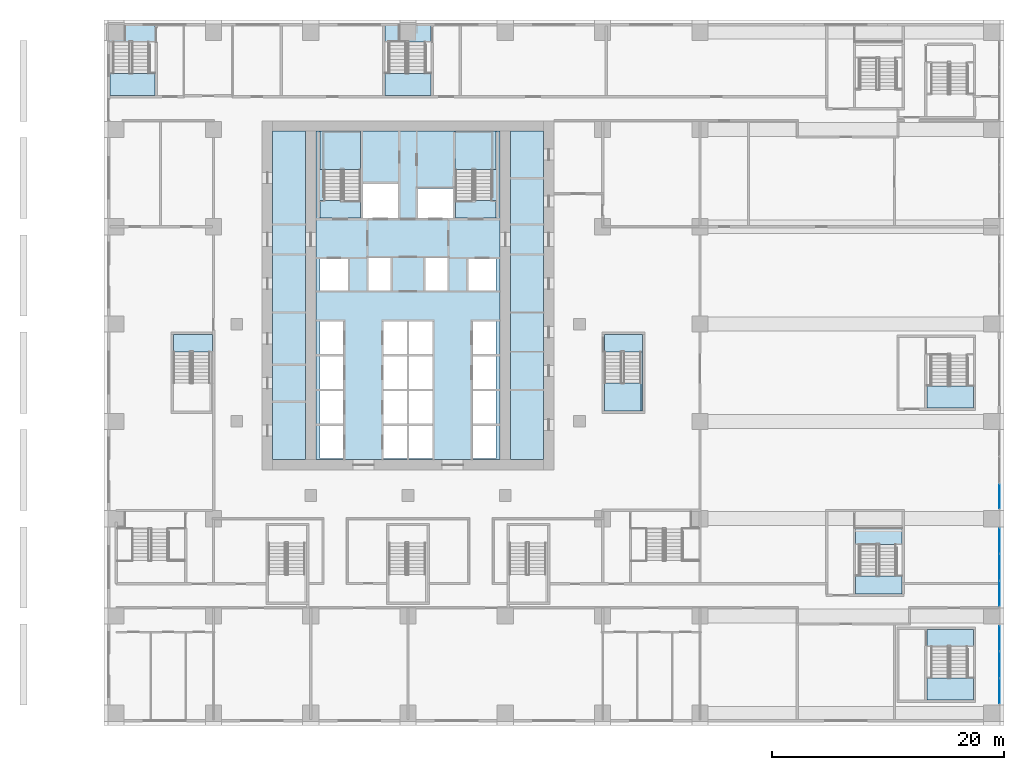
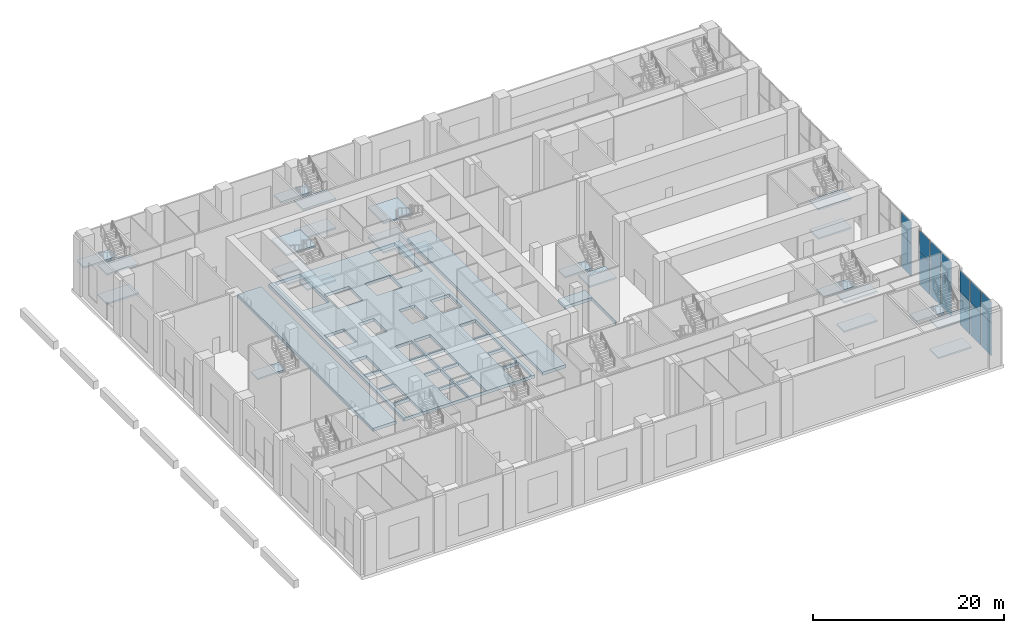
# One storey, part 5 of 29: 27 slabs, 14 plates, 12 elements without a shape of their own.
"""IFC4 building model written with IfcOpenShell, lengths in metres."""

from ifc_helpers import new_model, si_unit, direction, frame, origin, origin_2d, place, context, subcontext, project, spatial, polyline, rectangle, outline, extrude, material, layer, layer_set, type_object, element, aggregate, save


model = new_model("IFC4")

# Units and contexts
model_context = context("Model", 3, precision=1e-05, world=origin(), true_north=direction((0.0, 1.0)))
body_context = subcontext(model_context, "Body", "Model", "MODEL_VIEW")
ifc_project = project(units=[si_unit("LENGTHUNIT", "METRE"), si_unit("AREAUNIT", "SQUARE_METRE"), si_unit("VOLUMEUNIT", "CUBIC_METRE"), si_unit("PLANEANGLEUNIT", "RADIAN"), si_unit("MASSUNIT", "GRAM", prefix="KILO")], contexts=[model_context])

# Site, building, storey
site_placement = place(None, origin())
site = spatial("IfcSite", under=ifc_project, at=site_placement, CompositionType="ELEMENT")
building_placement = place(site_placement, origin())
building = spatial("IfcBuilding", under=site, at=building_placement, Name="Vermilion Ogive Tower", CompositionType="ELEMENT")
storey_placement = place(building_placement, frame((0.0, 0.0, 12.5)))
storey = spatial("IfcBuildingStorey", under=building, at=storey_placement, Name="L02", CompositionType="ELEMENT", Elevation=12.5)

# Curtain wall, plates
ifc_material_1 = material(Name="Clear double glazing in aluminium frame", Category="aluminium")
curtain_wall_type = type_object("IfcCurtainWallType", Name="Curtain wall CW5", PredefinedType="NOTDEFINED", material=ifc_material_1)
curtain_wall_1_placement = place(storey_placement, origin())
curtain_wall_1 = element("IfcCurtainWall", 1, at=curtain_wall_1_placement, inside=storey, type_object=curtain_wall_type, Name="CW5 ballroom glazing E1", PredefinedType="NOTDEFINED")
ifc_material_2 = material(Name="Clear double glazing in aluminium frame", Category="aluminium")
ifc_layer_1 = layer(ifc_material_2, 0.031982421875)
ifc_layer_set_1 = layer_set([ifc_layer_1], Name="CW5 glazing panel 32")
plate_type = type_object("IfcPlateType", Name="CW5 glazing panel 32", PredefinedType="CURTAIN_PANEL", material=ifc_layer_set_1)
plate_1_placement = place(storey_placement, frame((51.06005859375, -27.48828125, 0.06005859375), z_axis=(0.0, 0.0, 1.0), x_axis=(0.0, 1.0, 0.0)))
plate_1 = element("IfcPlate", 2, at=plate_1_placement, type_object=plate_type, Name="CW5-E1 panel 1.1", PredefinedType="CURTAIN_PANEL", context=body_context, shape_type="SweptSolid", body=[
    extrude(rectangle(XDim=2.063232421875, YDim=0.031982421875, at=origin_2d()), origin(), (0.0, 0.0, 1.0), 4.169921875),
])
plate_2_placement = place(storey_placement, frame((51.06005859375, -27.48828125, 4.2900390625), z_axis=(0.0, 0.0, 1.0), x_axis=(0.0, 1.0, 0.0)))
plate_2 = element("IfcPlate", 3, at=plate_2_placement, type_object=plate_type, Name="CW5-E1 panel 1.2", PredefinedType="CURTAIN_PANEL", context=body_context, shape_type="SweptSolid", body=[
    extrude(rectangle(XDim=2.063232421875, YDim=0.031982421875, at=origin_2d()), origin(), (0.0, 0.0, 1.0), 2.75),
])
plate_3_placement = place(storey_placement, frame((51.06005859375, -25.199951171875, 0.06005859375), z_axis=(0.0, 0.0, 1.0), x_axis=(0.0, 1.0, 0.0)))
plate_3 = element("IfcPlate", 4, at=plate_3_placement, type_object=plate_type, Name="CW5-E1 panel 2.1", PredefinedType="CURTAIN_PANEL", context=body_context, shape_type="SweptSolid", body=[
    extrude(rectangle(XDim=2.1533203125, YDim=0.031982421875, at=origin_2d()), origin(), (0.0, 0.0, 1.0), 4.169921875),
])
plate_4_placement = place(storey_placement, frame((51.06005859375, -25.199951171875, 4.2900390625), z_axis=(0.0, 0.0, 1.0), x_axis=(0.0, 1.0, 0.0)))
plate_4 = element("IfcPlate", 5, at=plate_4_placement, type_object=plate_type, Name="CW5-E1 panel 2.2", PredefinedType="CURTAIN_PANEL", context=body_context, shape_type="SweptSolid", body=[
    extrude(rectangle(XDim=2.1533203125, YDim=0.031982421875, at=origin_2d()), origin(), (0.0, 0.0, 1.0), 2.75),
])
plate_5_placement = place(storey_placement, frame((51.06005859375, -22.91162109375, 0.06005859375), z_axis=(0.0, 0.0, 1.0), x_axis=(0.0, 1.0, 0.0)))
plate_5 = element("IfcPlate", 6, at=plate_5_placement, type_object=plate_type, Name="CW5-E1 panel 3.1", PredefinedType="CURTAIN_PANEL", context=body_context, shape_type="SweptSolid", body=[
    extrude(rectangle(XDim=2.063232421875, YDim=0.031982421875, at=origin_2d()), origin(), (0.0, 0.0, 1.0), 4.169921875),
])
plate_6_placement = place(storey_placement, frame((51.06005859375, -22.91162109375, 4.2900390625), z_axis=(0.0, 0.0, 1.0), x_axis=(0.0, 1.0, 0.0)))
plate_6 = element("IfcPlate", 7, at=plate_6_placement, type_object=plate_type, Name="CW5-E1 panel 3.2", PredefinedType="CURTAIN_PANEL", context=body_context, shape_type="SweptSolid", body=[
    extrude(rectangle(XDim=2.063232421875, YDim=0.031982421875, at=origin_2d()), origin(), (0.0, 0.0, 1.0), 2.75),
])
aggregate(curtain_wall_1, [plate_1, plate_2, plate_3, plate_4, plate_5, plate_6])

curtain_wall_2_placement = place(storey_placement, origin())
curtain_wall_2 = element("IfcCurtainWall", 8, at=curtain_wall_2_placement, inside=storey, type_object=curtain_wall_type, Name="CW5 ballroom glazing E2", PredefinedType="NOTDEFINED")
plate_7_placement = place(storey_placement, frame((51.06005859375, -19.08837890625, 0.06005859375), z_axis=(0.0, 0.0, 1.0), x_axis=(0.0, 1.0, 0.0)))
plate_7 = element("IfcPlate", 9, at=plate_7_placement, type_object=plate_type, Name="CW5-E2 panel 1.1", PredefinedType="CURTAIN_PANEL", context=body_context, shape_type="SweptSolid", body=[
    extrude(rectangle(XDim=2.063232421875, YDim=0.031982421875, at=origin_2d()), origin(), (0.0, 0.0, 1.0), 4.169921875),
])
plate_8_placement = place(storey_placement, frame((51.06005859375, -19.08837890625, 4.2900390625), z_axis=(0.0, 0.0, 1.0), x_axis=(0.0, 1.0, 0.0)))
plate_8 = element("IfcPlate", 10, at=plate_8_placement, type_object=plate_type, Name="CW5-E2 panel 1.2", PredefinedType="CURTAIN_PANEL", context=body_context, shape_type="SweptSolid", body=[
    extrude(rectangle(XDim=2.063232421875, YDim=0.031982421875, at=origin_2d()), origin(), (0.0, 0.0, 1.0), 2.75),
])
plate_9_placement = place(storey_placement, frame((51.06005859375, -16.800048828125, 0.06005859375), z_axis=(0.0, 0.0, 1.0), x_axis=(0.0, 1.0, 0.0)))
plate_9 = element("IfcPlate", 11, at=plate_9_placement, type_object=plate_type, Name="CW5-E2 panel 2.1", PredefinedType="CURTAIN_PANEL", context=body_context, shape_type="SweptSolid", body=[
    extrude(rectangle(XDim=2.1533203125, YDim=0.031982421875, at=origin_2d()), origin(), (0.0, 0.0, 1.0), 4.169921875),
])
plate_10_placement = place(storey_placement, frame((51.06005859375, -16.800048828125, 4.2900390625), z_axis=(0.0, 0.0, 1.0), x_axis=(0.0, 1.0, 0.0)))
plate_10 = element("IfcPlate", 12, at=plate_10_placement, type_object=plate_type, Name="CW5-E2 panel 2.2", PredefinedType="CURTAIN_PANEL", context=body_context, shape_type="SweptSolid", body=[
    extrude(rectangle(XDim=2.1533203125, YDim=0.031982421875, at=origin_2d()), origin(), (0.0, 0.0, 1.0), 2.75),
])
plate_11_placement = place(storey_placement, frame((51.06005859375, -14.51171875, 0.06005859375), z_axis=(0.0, 0.0, 1.0), x_axis=(0.0, 1.0, 0.0)))
plate_11 = element("IfcPlate", 13, at=plate_11_placement, type_object=plate_type, Name="CW5-E2 panel 3.1", PredefinedType="CURTAIN_PANEL", context=body_context, shape_type="SweptSolid", body=[
    extrude(rectangle(XDim=2.063232421875, YDim=0.031982421875, at=origin_2d()), origin(), (0.0, 0.0, 1.0), 4.169921875),
])
plate_12_placement = place(storey_placement, frame((51.06005859375, -14.51171875, 4.2900390625), z_axis=(0.0, 0.0, 1.0), x_axis=(0.0, 1.0, 0.0)))
plate_12 = element("IfcPlate", 14, at=plate_12_placement, type_object=plate_type, Name="CW5-E2 panel 3.2", PredefinedType="CURTAIN_PANEL", context=body_context, shape_type="SweptSolid", body=[
    extrude(rectangle(XDim=2.063232421875, YDim=0.031982421875, at=origin_2d()), origin(), (0.0, 0.0, 1.0), 2.75),
])
aggregate(curtain_wall_2, [plate_7, plate_8, plate_9, plate_10, plate_11, plate_12])

curtain_wall_3_placement = place(storey_placement, origin())
curtain_wall_3 = element("IfcCurtainWall", 15, at=curtain_wall_3_placement, inside=storey, type_object=curtain_wall_type, Name="CW5 ballroom glazing E3", PredefinedType="NOTDEFINED")
plate_13_placement = place(storey_placement, frame((51.06005859375, -10.688232421875, 0.06005859375), z_axis=(0.0, 0.0, 1.0), x_axis=(0.0, 1.0, 0.0)))
plate_13 = element("IfcPlate", 16, at=plate_13_placement, type_object=plate_type, Name="CW5-E3 panel 1.1", PredefinedType="CURTAIN_PANEL", context=body_context, shape_type="SweptSolid", body=[
    extrude(rectangle(XDim=2.063232421875, YDim=0.031982421875, at=origin_2d()), origin(), (0.0, 0.0, 1.0), 4.169921875),
])
plate_14_placement = place(storey_placement, frame((51.06005859375, -10.688232421875, 4.2900390625), z_axis=(0.0, 0.0, 1.0), x_axis=(0.0, 1.0, 0.0)))
plate_14 = element("IfcPlate", 17, at=plate_14_placement, type_object=plate_type, Name="CW5-E3 panel 1.2", PredefinedType="CURTAIN_PANEL", context=body_context, shape_type="SweptSolid", body=[
    extrude(rectangle(XDim=2.063232421875, YDim=0.031982421875, at=origin_2d()), origin(), (0.0, 0.0, 1.0), 2.75),
])
aggregate(curtain_wall_3, [plate_13, plate_14])

# Slabs
ifc_material_3 = material(Name="Concrete B40", Category="concrete")
ifc_layer_2 = layer(ifc_material_3, 0.39990234375)
ifc_layer_set_2 = layer_set([ifc_layer_2], Name="Core floor slab 400 B40")
slab_type_1 = type_object("IfcSlabType", Name="Core floor slab 400 B40", PredefinedType="FLOOR", material=ifc_layer_set_2)
slab_1_placement = place(storey_placement, frame((0.0, 0.0, -0.39990234375)))
element("IfcSlab", 18, at=slab_1_placement, inside=storey, type_object=slab_type_1, Name="L02-CK-FS1", PredefinedType="FLOOR", context=body_context, shape_type="SweptSolid", body=[
    extrude(outline(polyline([(-8.85400390625, -7.49609375), (-11.696044921875, -7.49609375), (-11.696044921875, 20.845947265625), (-8.85400390625, 20.845947265625), (-8.85400390625, -7.49609375)])), origin(), (0.0, 0.0, 1.0), 0.39990234375),
])
slab_2_placement = place(storey_placement, frame((0.0, 0.0, -0.39990234375)))
element("IfcSlab", 19, at=slab_2_placement, inside=storey, type_object=slab_type_1, Name="L02-CK-FS2", PredefinedType="FLOOR", context=body_context, shape_type="SweptSolid", body=[
    extrude(outline(polyline([(-7.946044921875, 20.845947265625), (-7.946044921875, -7.49609375), (7.946044921875, -7.49609375), (7.946044921875, 20.845947265625), (-7.946044921875, 20.845947265625)]), holes=[polyline([(-5.60009765625, -7.39990234375), (-7.60009765625, -7.39990234375), (-7.60009765625, -4.60009765625), (-5.60009765625, -4.60009765625), (-5.60009765625, -7.39990234375)]), polyline([(-0.10009765625, -7.39990234375), (-2.10009765625, -7.39990234375), (-2.10009765625, -4.60009765625), (-0.10009765625, -4.60009765625), (-0.10009765625, -7.39990234375)]), polyline([(-5.60009765625, -4.39990234375), (-7.60009765625, -4.39990234375), (-7.60009765625, -1.60009765625), (-5.60009765625, -1.60009765625), (-5.60009765625, -4.39990234375)]), polyline([(-0.10009765625, -4.39990234375), (-2.10009765625, -4.39990234375), (-2.10009765625, -1.60009765625), (-0.10009765625, -1.60009765625), (-0.10009765625, -4.39990234375)]), polyline([(-7.60009765625, -1.39990234375), (-7.60009765625, 1.39990234375), (-5.60009765625, 1.39990234375), (-5.60009765625, -1.39990234375), (-7.60009765625, -1.39990234375)]), polyline([(-0.10009765625, -1.39990234375), (-2.10009765625, -1.39990234375), (-2.10009765625, 1.39990234375), (-0.10009765625, 1.39990234375), (-0.10009765625, -1.39990234375)]), polyline([(2.10009765625, 1.60009765625), (0.10009765625, 1.60009765625), (0.10009765625, 4.39990234375), (2.10009765625, 4.39990234375), (2.10009765625, 1.60009765625)]), polyline([(-0.10009765625, 1.60009765625), (-2.10009765625, 1.60009765625), (-2.10009765625, 4.39990234375), (-0.10009765625, 4.39990234375), (-0.10009765625, 1.60009765625)]), polyline([(-7.60009765625, 1.60009765625), (-7.60009765625, 4.39990234375), (-5.60009765625, 4.39990234375), (-5.60009765625, 1.60009765625), (-7.60009765625, 1.60009765625)]), polyline([(-7.60009765625, 7.10009765625), (-7.60009765625, 9.800048828125), (-5.199951171875, 9.800048828125), (-5.199951171875, 7.10009765625), (-7.60009765625, 7.10009765625)]), polyline([(-1.5, 7.10009765625), (-3.39990234375, 7.10009765625), (-3.39990234375, 9.89990234375), (-1.5, 9.89990234375), (-1.5, 7.10009765625)]), polyline([(-0.85009765625, 13.35009765625), (-3.89990234375, 13.35009765625), (-3.89990234375, 16.300048828125), (-0.85009765625, 16.300048828125), (-0.85009765625, 13.35009765625)]), polyline([(-7.25, 14.85205078125), (-7.25, 20.75), (-4.10009765625, 20.75), (-4.10009765625, 14.85205078125), (-5.60009765625, 14.85205078125), (-5.60009765625, 14.85009765625), (-5.75, 14.85009765625), (-5.75, 14.85205078125), (-7.25, 14.85205078125)]), polyline([(2.10009765625, -7.39990234375), (0.10009765625, -7.39990234375), (0.10009765625, -4.60009765625), (2.10009765625, -4.60009765625), (2.10009765625, -7.39990234375)]), polyline([(7.60009765625, -7.39990234375), (5.60009765625, -7.39990234375), (5.60009765625, -4.60009765625), (7.60009765625, -4.60009765625), (7.60009765625, -7.39990234375)]), polyline([(7.60009765625, -4.39990234375), (5.60009765625, -4.39990234375), (5.60009765625, -1.60009765625), (7.60009765625, -1.60009765625), (7.60009765625, -4.39990234375)]), polyline([(0.10009765625, -4.39990234375), (0.10009765625, -1.60009765625), (2.10009765625, -1.60009765625), (2.10009765625, -4.39990234375), (0.10009765625, -4.39990234375)]), polyline([(7.60009765625, -1.39990234375), (5.60009765625, -1.39990234375), (5.60009765625, 1.39990234375), (7.60009765625, 1.39990234375), (7.60009765625, -1.39990234375)]), polyline([(2.10009765625, -1.39990234375), (0.10009765625, -1.39990234375), (0.10009765625, 1.39990234375), (2.10009765625, 1.39990234375), (2.10009765625, -1.39990234375)]), polyline([(5.60009765625, 1.60009765625), (5.60009765625, 4.39990234375), (7.60009765625, 4.39990234375), (7.60009765625, 1.60009765625), (5.60009765625, 1.60009765625)]), polyline([(5.199951171875, 7.10009765625), (5.199951171875, 9.800048828125), (7.60009765625, 9.800048828125), (7.60009765625, 7.10009765625), (5.199951171875, 7.10009765625)]), polyline([(3.39990234375, 7.10009765625), (1.5, 7.10009765625), (1.5, 9.89990234375), (3.39990234375, 9.89990234375), (3.39990234375, 7.10009765625)]), polyline([(3.89990234375, 13.35009765625), (0.85009765625, 13.35009765625), (0.85009765625, 15.89990234375), (3.89990234375, 15.89990234375), (3.89990234375, 13.35009765625)]), polyline([(5.75, 14.85009765625), (5.60009765625, 14.85009765625), (5.60009765625, 14.85205078125), (4.10009765625, 14.85205078125), (4.10009765625, 20.75), (7.25, 20.75), (7.25, 14.85205078125), (5.75, 14.85205078125), (5.75, 14.85009765625)])]), origin(), (0.0, 0.0, 1.0), 0.39990234375),
])
slab_3_placement = place(storey_placement, frame((0.0, 0.0, -0.39990234375)))
element("IfcSlab", 20, at=slab_3_placement, inside=storey, type_object=slab_type_1, Name="L02-CK-FS3", PredefinedType="FLOOR", context=body_context, shape_type="SweptSolid", body=[
    extrude(outline(polyline([(8.85400390625, 20.845947265625), (11.696044921875, 20.845947265625), (11.696044921875, -7.49609375), (8.85400390625, -7.49609375), (8.85400390625, 20.845947265625)])), origin(), (0.0, 0.0, 1.0), 0.39990234375),
])
slab_4_placement = place(storey_placement, frame((0.0, 0.0, -0.39990234375)))
element("IfcSlab", 21, at=slab_4_placement, inside=storey, type_object=slab_type_1, Name="L02-SF-ST8-1", PredefinedType="FLOOR", context=body_context, shape_type="SweptSolid", body=[
    extrude(outline(polyline([(16.949951171875, 3.300048828125), (16.949951171875, 1.798095703125), (18.449951171875, 1.798095703125), (18.449951171875, 1.800048828125), (18.60009765625, 1.800048828125), (18.60009765625, 1.798095703125), (20.10009765625, 1.798095703125), (20.10009765625, -3.300048828125), (20.25, -3.300048828125), (20.25, 3.300048828125), (16.949951171875, 3.300048828125)])), origin(), (0.0, 0.0, 1.0), 0.39990234375),
])

# Stair, slabs
ifc_material_4 = material(Name="Concrete B40", Category="concrete")
stair_type = type_object("IfcStairType", Name="Exit stair 1500", PredefinedType="HALF_TURN_STAIR", material=ifc_material_4)
stair_1_placement = place(storey_placement, origin())
stair_1 = element("IfcStair", 22, at=stair_1_placement, inside=storey, type_object=stair_type, Name="L02 Exit Stair ST1", PredefinedType="HALF_TURN_STAIR")
ifc_material_5 = material(Name="Concrete B40", Category="concrete")
ifc_layer_3 = layer(ifc_material_5, 0.199951171875)
ifc_layer_set_3 = layer_set([ifc_layer_3], Name="Stair landing 200")
slab_type_2 = type_object("IfcSlabType", Name="Stair landing 200", PredefinedType="LANDING", material=ifc_layer_set_3)
slab_5_placement = place(storey_placement, frame((0.0, 0.0, 1.675048828125)))
slab_5 = element("IfcSlab", 23, at=slab_5_placement, type_object=slab_type_2, Name="ST1 landing 1", PredefinedType="LANDING", context=body_context, shape_type="SweptSolid", body=[
    extrude(outline(polyline([(-7.60009765625, 17.550048828125), (-7.25, 17.550048828125), (-7.25, 17.548095703125), (-5.75, 17.548095703125), (-5.75, 17.550048828125), (-5.60009765625, 17.550048828125), (-5.60009765625, 17.548095703125), (-4.10009765625, 17.548095703125), (-4.10009765625, 20.85009765625), (-7.60009765625, 20.85009765625), (-7.60009765625, 17.550048828125)])), origin(), (0.0, 0.0, 1.0), 0.199951171875),
])
slab_6_placement = place(storey_placement, frame((0.0, 0.0, 3.550048828125)))
slab_6 = element("IfcSlab", 24, at=slab_6_placement, type_object=slab_type_2, Name="ST1 landing 2", PredefinedType="LANDING", context=body_context, shape_type="SweptSolid", body=[
    extrude(outline(polyline([(-4.10009765625, 13.35009765625), (-4.10009765625, 14.85205078125), (-5.60009765625, 14.85205078125), (-5.60009765625, 14.85009765625), (-5.75, 14.85009765625), (-5.75, 14.85205078125), (-7.25, 14.85205078125), (-7.25, 14.85009765625), (-7.60009765625, 14.85009765625), (-7.60009765625, 13.35009765625), (-4.10009765625, 13.35009765625)])), origin(), (0.0, 0.0, 1.0), 0.199951171875),
])
slab_7_placement = place(storey_placement, frame((0.0, 0.0, 5.425048828125)))
slab_7 = element("IfcSlab", 25, at=slab_7_placement, type_object=slab_type_2, Name="ST1 landing 3", PredefinedType="LANDING", context=body_context, shape_type="SweptSolid", body=[
    extrude(outline(polyline([(-7.60009765625, 17.550048828125), (-7.25, 17.550048828125), (-7.25, 17.548095703125), (-5.75, 17.548095703125), (-5.75, 17.550048828125), (-5.60009765625, 17.550048828125), (-5.60009765625, 17.548095703125), (-4.10009765625, 17.548095703125), (-4.10009765625, 20.85009765625), (-7.60009765625, 20.85009765625), (-7.60009765625, 17.550048828125)])), origin(), (0.0, 0.0, 1.0), 0.199951171875),
])
aggregate(stair_1, [slab_5, slab_6, slab_7])

stair_2_placement = place(storey_placement, origin())
stair_2 = element("IfcStair", 26, at=stair_2_placement, inside=storey, type_object=stair_type, Name="L02 Exit Stair ST2", PredefinedType="HALF_TURN_STAIR")
slab_8_placement = place(storey_placement, frame((0.0, 0.0, 1.675048828125)))
slab_8 = element("IfcSlab", 27, at=slab_8_placement, type_object=slab_type_2, Name="ST2 landing 1", PredefinedType="LANDING", context=body_context, shape_type="SweptSolid", body=[
    extrude(outline(polyline([(5.60009765625, 17.550048828125), (5.75, 17.550048828125), (5.75, 17.548095703125), (7.25, 17.548095703125), (7.25, 17.550048828125), (7.60009765625, 17.550048828125), (7.60009765625, 20.85009765625), (4.074951171875, 20.85009765625), (4.074951171875, 17.550048828125), (4.10009765625, 17.550048828125), (4.10009765625, 17.548095703125), (5.60009765625, 17.548095703125), (5.60009765625, 17.550048828125)])), origin(), (0.0, 0.0, 1.0), 0.199951171875),
])
slab_9_placement = place(storey_placement, frame((0.0, 0.0, 3.550048828125)))
slab_9 = element("IfcSlab", 28, at=slab_9_placement, type_object=slab_type_2, Name="ST2 landing 2", PredefinedType="LANDING", context=body_context, shape_type="SweptSolid", body=[
    extrude(outline(polyline([(5.75, 14.85009765625), (5.60009765625, 14.85009765625), (5.60009765625, 14.85205078125), (4.10009765625, 14.85205078125), (4.10009765625, 13.35009765625), (7.60009765625, 13.35009765625), (7.60009765625, 14.85009765625), (7.25, 14.85009765625), (7.25, 14.85205078125), (5.75, 14.85205078125), (5.75, 14.85009765625)])), origin(), (0.0, 0.0, 1.0), 0.199951171875),
])
slab_10_placement = place(storey_placement, frame((0.0, 0.0, 5.425048828125)))
slab_10 = element("IfcSlab", 29, at=slab_10_placement, type_object=slab_type_2, Name="ST2 landing 3", PredefinedType="LANDING", context=body_context, shape_type="SweptSolid", body=[
    extrude(outline(polyline([(5.60009765625, 17.550048828125), (5.75, 17.550048828125), (5.75, 17.548095703125), (7.25, 17.548095703125), (7.25, 17.550048828125), (7.60009765625, 17.550048828125), (7.60009765625, 20.85009765625), (4.074951171875, 20.85009765625), (4.074951171875, 17.550048828125), (4.10009765625, 17.550048828125), (4.10009765625, 17.548095703125), (5.60009765625, 17.548095703125), (5.60009765625, 17.550048828125)])), origin(), (0.0, 0.0, 1.0), 0.199951171875),
])
aggregate(stair_2, [slab_8, slab_9, slab_10])

stair_3_placement = place(storey_placement, origin())
stair_3 = element("IfcStair", 30, at=stair_3_placement, inside=storey, type_object=stair_type, Name="L02 Exit Stair ST8", PredefinedType="HALF_TURN_STAIR")
slab_11_placement = place(storey_placement, frame((0.0, 0.0, 3.550048828125)))
slab_11 = element("IfcSlab", 31, at=slab_11_placement, type_object=slab_type_2, Name="ST8 landing 2", PredefinedType="LANDING", context=body_context, shape_type="SweptSolid", body=[
    extrude(outline(polyline([(16.949951171875, 3.300048828125), (16.949951171875, 1.798095703125), (18.449951171875, 1.798095703125), (18.449951171875, 1.800048828125), (18.60009765625, 1.800048828125), (18.60009765625, 1.798095703125), (20.10009765625, 1.798095703125), (20.10009765625, 1.800048828125), (20.25, 1.800048828125), (20.25, 3.300048828125), (16.949951171875, 3.300048828125)])), origin(), (0.0, 0.0, 1.0), 0.199951171875),
])
slab_12_placement = place(storey_placement, frame((0.0, 0.0, 5.425048828125)))
slab_12 = element("IfcSlab", 32, at=slab_12_placement, type_object=slab_type_2, Name="ST8 landing 3", PredefinedType="LANDING", context=body_context, shape_type="SweptSolid", body=[
    extrude(outline(polyline([(20.25, -0.89990234375), (20.10009765625, -0.89990234375), (20.10009765625, -0.89794921875), (18.60009765625, -0.89794921875), (18.60009765625, -0.89990234375), (18.449951171875, -0.89990234375), (18.449951171875, -0.89794921875), (16.949951171875, -0.89794921875), (16.949951171875, -3.300048828125), (20.25, -3.300048828125), (20.25, -0.89990234375)])), origin(), (0.0, 0.0, 1.0), 0.199951171875),
])
aggregate(stair_3, [slab_11, slab_12])

# Stair, slab
stair_4_placement = place(storey_placement, origin())
stair_4 = element("IfcStair", 33, at=stair_4_placement, inside=storey, type_object=stair_type, Name="L02 Exit Stair ST9", PredefinedType="HALF_TURN_STAIR")
slab_13_placement = place(storey_placement, frame((0.0, 0.0, 3.550048828125)))
slab_13 = element("IfcSlab", 34, at=slab_13_placement, type_object=slab_type_2, Name="ST9 landing 2", PredefinedType="LANDING", context=body_context, shape_type="SweptSolid", body=[
    extrude(outline(polyline([(-20.25, 3.300048828125), (-20.25, 1.798095703125), (-18.75, 1.798095703125), (-18.75, 1.800048828125), (-18.60009765625, 1.800048828125), (-18.60009765625, 1.798095703125), (-17.10009765625, 1.798095703125), (-17.10009765625, 1.800048828125), (-16.875, 1.800048828125), (-16.875, 3.300048828125), (-20.25, 3.300048828125)])), origin(), (0.0, 0.0, 1.0), 0.199951171875),
])
aggregate(stair_4, [slab_13])

# Stair, slabs
stair_5_placement = place(storey_placement, origin())
stair_5 = element("IfcStair", 35, at=stair_5_placement, inside=storey, type_object=stair_type, Name="L02 Exit Stair PS1", PredefinedType="HALF_TURN_STAIR")
slab_14_placement = place(storey_placement, frame((0.0, 0.0, 1.675048828125)))
slab_14 = element("IfcSlab", 36, at=slab_14_placement, type_object=slab_type_2, Name="PS1 landing 1", PredefinedType="LANDING", context=body_context, shape_type="SweptSolid", body=[
    extrude(outline(polyline([(-21.85009765625, 25.85009765625), (-22.35009765625, 25.85009765625), (-22.35009765625, 25.85205078125), (-23.85009765625, 25.85205078125), (-23.85009765625, 25.85009765625), (-24.0, 25.85009765625), (-24.0, 25.85205078125), (-25.5, 25.85205078125), (-25.5, 25.85009765625), (-25.75, 25.85009765625), (-25.75, 23.925048828125), (-21.85009765625, 23.925048828125), (-21.85009765625, 25.85009765625)])), origin(), (0.0, 0.0, 1.0), 0.199951171875),
])
slab_15_placement = place(storey_placement, frame((0.0, 0.0, 3.550048828125)))
slab_15 = element("IfcSlab", 37, at=slab_15_placement, type_object=slab_type_2, Name="PS1 landing 2", PredefinedType="LANDING", context=body_context, shape_type="SweptSolid", body=[
    extrude(outline(polyline([(-25.85009765625, 28.550048828125), (-25.5, 28.550048828125), (-25.5, 28.548095703125), (-24.0, 28.548095703125), (-24.0, 28.550048828125), (-23.85009765625, 28.550048828125), (-23.85009765625, 28.548095703125), (-22.35009765625, 28.548095703125), (-22.35009765625, 28.550048828125), (-21.85009765625, 28.550048828125), (-21.85009765625, 30.050048828125), (-25.85009765625, 30.050048828125), (-25.85009765625, 28.550048828125)])), origin(), (0.0, 0.0, 1.0), 0.199951171875),
])
slab_16_placement = place(storey_placement, frame((0.0, 0.0, 5.425048828125)))
slab_16 = element("IfcSlab", 38, at=slab_16_placement, type_object=slab_type_2, Name="PS1 landing 3", PredefinedType="LANDING", context=body_context, shape_type="SweptSolid", body=[
    extrude(outline(polyline([(-21.85009765625, 25.85009765625), (-22.35009765625, 25.85009765625), (-22.35009765625, 25.85205078125), (-23.85009765625, 25.85205078125), (-23.85009765625, 25.85009765625), (-24.0, 25.85009765625), (-24.0, 25.85205078125), (-25.5, 25.85205078125), (-25.5, 25.85009765625), (-25.75, 25.85009765625), (-25.75, 23.925048828125), (-21.85009765625, 23.925048828125), (-21.85009765625, 25.85009765625)])), origin(), (0.0, 0.0, 1.0), 0.199951171875),
])
aggregate(stair_5, [slab_14, slab_15, slab_16])

stair_6_placement = place(storey_placement, origin())
stair_6 = element("IfcStair", 39, at=stair_6_placement, inside=storey, type_object=stair_type, Name="L02 Exit Stair PS5", PredefinedType="HALF_TURN_STAIR")
slab_17_placement = place(storey_placement, frame((0.0, 0.0, 1.675048828125)))
slab_17 = element("IfcSlab", 40, at=slab_17_placement, type_object=slab_type_2, Name="PS5 landing 1", PredefinedType="LANDING", context=body_context, shape_type="SweptSolid", body=[
    extrude(outline(polyline([(2.0, 25.85009765625), (1.5, 25.85009765625), (1.5, 25.85205078125), (0.0, 25.85205078125), (0.0, 25.85009765625), (-0.14990234375, 25.85009765625), (-0.14990234375, 25.85205078125), (-1.64990234375, 25.85205078125), (-1.64990234375, 25.85009765625), (-2.0, 25.85009765625), (-2.0, 23.925048828125), (2.0, 23.925048828125), (2.0, 25.85009765625)])), origin(), (0.0, 0.0, 1.0), 0.199951171875),
])
slab_18_placement = place(storey_placement, frame((0.0, 0.0, 3.550048828125)))
slab_18 = element("IfcSlab", 41, at=slab_18_placement, type_object=slab_type_2, Name="PS5 landing 2", PredefinedType="LANDING", context=body_context, shape_type="SweptSolid", body=[
    extrude(outline(polyline([(-2.0, 28.550048828125), (-1.64990234375, 28.550048828125), (-1.64990234375, 28.548095703125), (-0.14990234375, 28.548095703125), (-0.14990234375, 28.550048828125), (0.0, 28.550048828125), (0.0, 28.548095703125), (1.5, 28.548095703125), (1.5, 28.550048828125), (2.0, 28.550048828125), (2.0, 30.050048828125), (-2.0, 30.050048828125), (-2.0, 28.550048828125)])), origin(), (0.0, 0.0, 1.0), 0.199951171875),
])
slab_19_placement = place(storey_placement, frame((0.0, 0.0, 5.425048828125)))
slab_19 = element("IfcSlab", 42, at=slab_19_placement, type_object=slab_type_2, Name="PS5 landing 3", PredefinedType="LANDING", context=body_context, shape_type="SweptSolid", body=[
    extrude(outline(polyline([(2.0, 25.85009765625), (1.5, 25.85009765625), (1.5, 25.85205078125), (0.0, 25.85205078125), (0.0, 25.85009765625), (-0.14990234375, 25.85009765625), (-0.14990234375, 25.85205078125), (-1.64990234375, 25.85205078125), (-1.64990234375, 25.85009765625), (-2.0, 25.85009765625), (-2.0, 23.925048828125), (2.0, 23.925048828125), (2.0, 25.85009765625)])), origin(), (0.0, 0.0, 1.0), 0.199951171875),
])
aggregate(stair_6, [slab_17, slab_18, slab_19])

stair_7_placement = place(storey_placement, origin())
stair_7 = element("IfcStair", 43, at=stair_7_placement, inside=storey, type_object=stair_type, Name="L02 Exit Stair PS6", PredefinedType="HALF_TURN_STAIR")
slab_20_placement = place(storey_placement, frame((0.0, 0.0, 1.675048828125)))
slab_20 = element("IfcSlab", 44, at=slab_20_placement, type_object=slab_type_2, Name="PS6 landing 1", PredefinedType="LANDING", context=body_context, shape_type="SweptSolid", body=[
    extrude(outline(polyline([(42.64990234375, -17.550048828125), (42.14990234375, -17.550048828125), (42.14990234375, -17.548095703125), (40.64990234375, -17.548095703125), (40.64990234375, -17.550048828125), (40.5, -17.550048828125), (40.5, -17.548095703125), (39.0, -17.548095703125), (39.0, -17.550048828125), (38.650146484375, -17.550048828125), (38.650146484375, -19.125), (42.64990234375, -19.125), (42.64990234375, -17.550048828125)])), origin(), (0.0, 0.0, 1.0), 0.199951171875),
])
slab_21_placement = place(storey_placement, frame((0.0, 0.0, 3.550048828125)))
slab_21 = element("IfcSlab", 45, at=slab_21_placement, type_object=slab_type_2, Name="PS6 landing 2", PredefinedType="LANDING", context=body_context, shape_type="SweptSolid", body=[
    extrude(outline(polyline([(38.650146484375, -14.85009765625), (39.0, -14.85009765625), (39.0, -14.85205078125), (40.5, -14.85205078125), (40.5, -14.85009765625), (40.64990234375, -14.85009765625), (40.64990234375, -14.85205078125), (42.14990234375, -14.85205078125), (42.14990234375, -14.85009765625), (42.64990234375, -14.85009765625), (42.64990234375, -13.35009765625), (38.650146484375, -13.35009765625), (38.650146484375, -14.85009765625)])), origin(), (0.0, 0.0, 1.0), 0.199951171875),
])
slab_22_placement = place(storey_placement, frame((0.0, 0.0, 5.425048828125)))
slab_22 = element("IfcSlab", 46, at=slab_22_placement, type_object=slab_type_2, Name="PS6 landing 3", PredefinedType="LANDING", context=body_context, shape_type="SweptSolid", body=[
    extrude(outline(polyline([(42.64990234375, -17.550048828125), (42.14990234375, -17.550048828125), (42.14990234375, -17.548095703125), (40.64990234375, -17.548095703125), (40.64990234375, -17.550048828125), (40.5, -17.550048828125), (40.5, -17.548095703125), (39.0, -17.548095703125), (39.0, -17.550048828125), (38.650146484375, -17.550048828125), (38.650146484375, -19.125), (42.64990234375, -19.125), (42.64990234375, -17.550048828125)])), origin(), (0.0, 0.0, 1.0), 0.199951171875),
])
aggregate(stair_7, [slab_20, slab_21, slab_22])

stair_8_placement = place(storey_placement, origin())
stair_8 = element("IfcStair", 47, at=stair_8_placement, inside=storey, type_object=stair_type, Name="L02 Exit Stair PEC", PredefinedType="HALF_TURN_STAIR")
slab_23_placement = place(storey_placement, frame((0.0, 0.0, 1.675048828125)))
slab_23 = element("IfcSlab", 48, at=slab_23_placement, type_object=slab_type_2, Name="PEC landing 1", PredefinedType="LANDING", context=body_context, shape_type="SweptSolid", body=[
    extrude(outline(polyline([(48.7998046875, -1.14990234375), (48.300048828125, -1.14990234375), (48.300048828125, -1.14794921875), (46.800048828125, -1.14794921875), (46.800048828125, -1.14990234375), (46.64990234375, -1.14990234375), (46.64990234375, -1.14794921875), (45.14990234375, -1.14794921875), (45.14990234375, -1.14990234375), (44.800048828125, -1.14990234375), (44.800048828125, -3.0498046875), (48.7998046875, -3.0498046875), (48.7998046875, -1.14990234375)])), origin(), (0.0, 0.0, 1.0), 0.199951171875),
])
slab_24_placement = place(storey_placement, frame((0.0, 0.0, 5.425048828125)))
slab_24 = element("IfcSlab", 49, at=slab_24_placement, type_object=slab_type_2, Name="PEC landing 3", PredefinedType="LANDING", context=body_context, shape_type="SweptSolid", body=[
    extrude(outline(polyline([(48.7998046875, -1.14990234375), (48.300048828125, -1.14990234375), (48.300048828125, -1.14794921875), (46.800048828125, -1.14794921875), (46.800048828125, -1.14990234375), (46.64990234375, -1.14990234375), (46.64990234375, -1.14794921875), (45.14990234375, -1.14794921875), (45.14990234375, -1.14990234375), (44.800048828125, -1.14990234375), (44.800048828125, -3.0498046875), (48.7998046875, -3.0498046875), (48.7998046875, -1.14990234375)])), origin(), (0.0, 0.0, 1.0), 0.199951171875),
])
aggregate(stair_8, [slab_23, slab_24])

stair_9_placement = place(storey_placement, origin())
stair_9 = element("IfcStair", 50, at=stair_9_placement, inside=storey, type_object=stair_type, Name="L02 Exit Stair PES", PredefinedType="HALF_TURN_STAIR")
slab_25_placement = place(storey_placement, frame((0.0, 0.0, 1.675048828125)))
slab_25 = element("IfcSlab", 51, at=slab_25_placement, type_object=slab_type_2, Name="PES landing 1", PredefinedType="LANDING", context=body_context, shape_type="SweptSolid", body=[
    extrude(outline(polyline([(48.7998046875, -26.35009765625), (48.300048828125, -26.35009765625), (48.300048828125, -26.347900390625), (46.800048828125, -26.347900390625), (46.800048828125, -26.35009765625), (46.64990234375, -26.35009765625), (46.64990234375, -26.347900390625), (45.14990234375, -26.347900390625), (45.14990234375, -26.35009765625), (44.800048828125, -26.35009765625), (44.800048828125, -28.25), (48.7998046875, -28.25), (48.7998046875, -26.35009765625)])), origin(), (0.0, 0.0, 1.0), 0.199951171875),
])
slab_26_placement = place(storey_placement, frame((0.0, 0.0, 3.550048828125)))
slab_26 = element("IfcSlab", 52, at=slab_26_placement, type_object=slab_type_2, Name="PES landing 2", PredefinedType="LANDING", context=body_context, shape_type="SweptSolid", body=[
    extrude(outline(polyline([(44.800048828125, -23.64990234375), (45.14990234375, -23.64990234375), (45.14990234375, -23.652099609375), (46.64990234375, -23.652099609375), (46.64990234375, -23.64990234375), (46.800048828125, -23.64990234375), (46.800048828125, -23.652099609375), (48.300048828125, -23.652099609375), (48.300048828125, -23.64990234375), (48.7998046875, -23.64990234375), (48.7998046875, -22.150146484375), (44.800048828125, -22.150146484375), (44.800048828125, -23.64990234375)])), origin(), (0.0, 0.0, 1.0), 0.199951171875),
])
slab_27_placement = place(storey_placement, frame((0.0, 0.0, 5.425048828125)))
slab_27 = element("IfcSlab", 53, at=slab_27_placement, type_object=slab_type_2, Name="PES landing 3", PredefinedType="LANDING", context=body_context, shape_type="SweptSolid", body=[
    extrude(outline(polyline([(48.7998046875, -26.35009765625), (48.300048828125, -26.35009765625), (48.300048828125, -26.347900390625), (46.800048828125, -26.347900390625), (46.800048828125, -26.35009765625), (46.64990234375, -26.35009765625), (46.64990234375, -26.347900390625), (45.14990234375, -26.347900390625), (45.14990234375, -26.35009765625), (44.800048828125, -26.35009765625), (44.800048828125, -28.25), (48.7998046875, -28.25), (48.7998046875, -26.35009765625)])), origin(), (0.0, 0.0, 1.0), 0.199951171875),
])
aggregate(stair_9, [slab_25, slab_26, slab_27])

save(model, "model.ifc")
